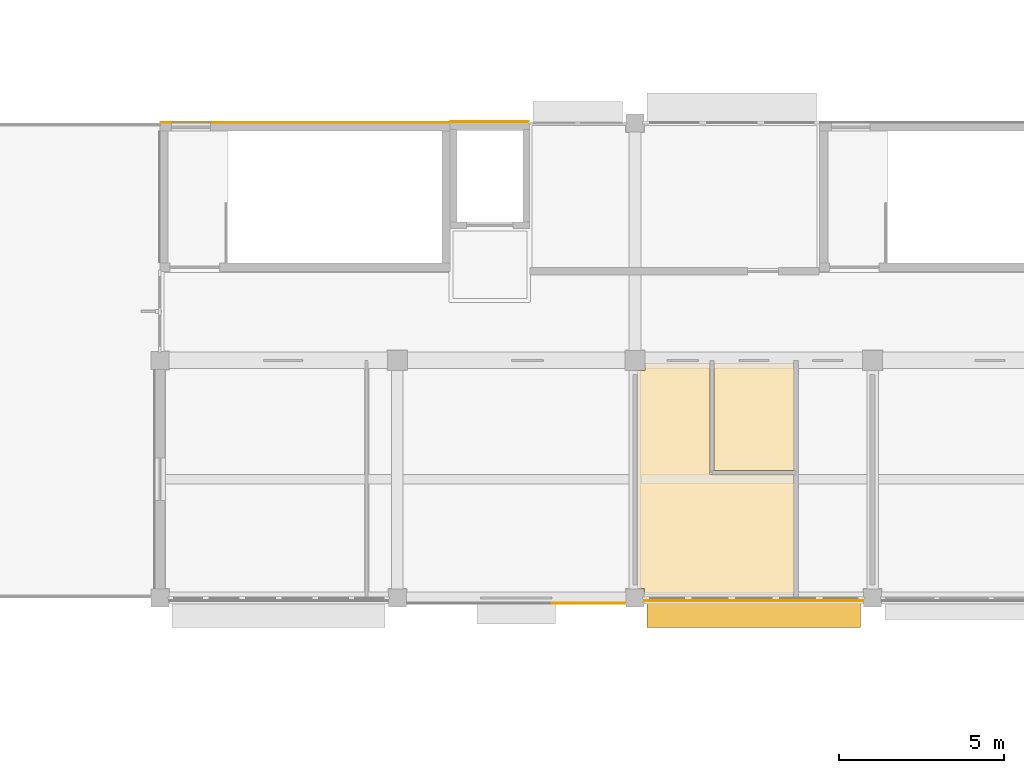
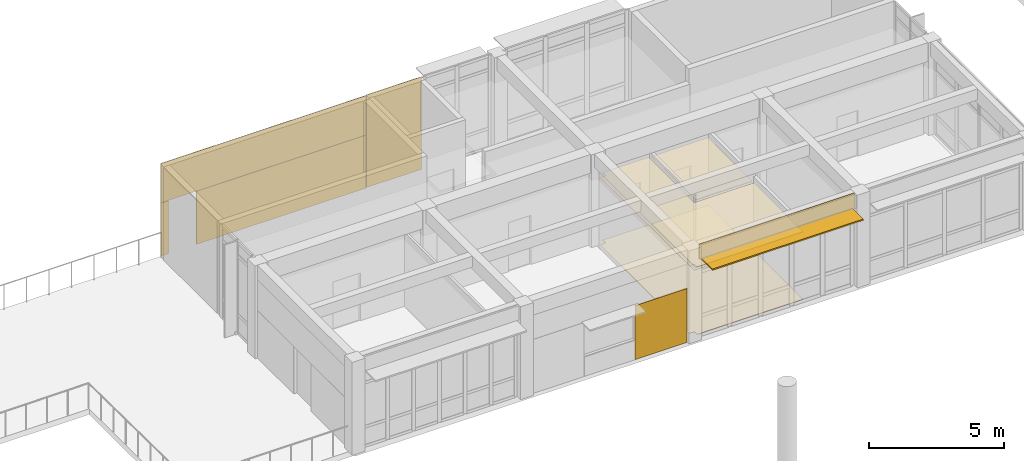
# One storey, part 30 of 41: 10 coverings, 1 shading device.
"""IFC4 building model written with IfcOpenShell, lengths in metres."""

from ifc_helpers import new_model, si_unit, direction, frame, origin, origin_2d, place, context, subcontext, project, spatial, polyline, rectangle, outline, extrude, material, layer, layer_set, type_object, element, save


model = new_model("IFC4")

# Units and contexts
model_context = context("Model", 3, precision=1e-05, world=origin(), true_north=direction((0.0, 1.0)))
body_context = subcontext(model_context, "Body", "Model", "MODEL_VIEW")
ifc_project = project(units=[si_unit("LENGTHUNIT", "METRE"), si_unit("AREAUNIT", "SQUARE_METRE"), si_unit("VOLUMEUNIT", "CUBIC_METRE"), si_unit("PLANEANGLEUNIT", "RADIAN"), si_unit("MASSUNIT", "GRAM", prefix="KILO")], contexts=[model_context])

# Site, building, storey
site_placement = place(None, origin())
site = spatial("IfcSite", under=ifc_project, at=site_placement, CompositionType="ELEMENT")
building_placement = place(site_placement, origin())
building = spatial("IfcBuilding", under=site, at=building_placement, Name="Namkhue Oval Health Centre", CompositionType="ELEMENT")
storey_placement = place(building_placement, frame((0.0, 0.0, 13.800048828125)))
storey = spatial("IfcBuildingStorey", under=building, at=storey_placement, Name="L03", CompositionType="ELEMENT", Elevation=13.800048828125)

# Coverings
ifc_material_1 = material(Name="Acoustic mineral-fibre cleanroom ceiling", Category="gypsum")
ifc_layer_1 = layer(ifc_material_1, 0.02001953125)
ifc_layer_set_1 = layer_set([ifc_layer_1], Name="Acoustic mineral-fibre cleanroom ceiling")
covering_type_1 = type_object("IfcCoveringType", Name="ACOUSTIC CLEANROOM CEILING 20", PredefinedType="CEILING", material=ifc_layer_set_1)
covering_1_placement = place(storey_placement, frame((0.0, 0.0, 3.050048828125)))
element("IfcCovering", 1, at=covering_1_placement, inside=storey, type_object=covering_type_1, Name="Acoustic Ceiling L03-403 Surgical Clean Instrument Utility", PredefinedType="CEILING", context=body_context, shape_type="SweptSolid", body=[
    extrude(outline(polyline([(74.280029296875, 21.52001953125), (74.280029296875, 18.139892578125), (76.820068359375, 18.139892578125), (76.820068359375, 14.485107421875), (72.284912109375, 14.485107421875), (72.284912109375, 14.68505859375), (72.070068359375, 14.68505859375), (72.070068359375, 21.2900390625), (72.31005859375, 21.2900390625), (72.31005859375, 21.52001953125), (74.280029296875, 21.52001953125)])), origin(), (0.0, 0.0, 1.0), 0.02001953125),
])
covering_2_placement = place(storey_placement, frame((0.0, 0.0, 3.050048828125)))
element("IfcCovering", 2, at=covering_2_placement, inside=storey, type_object=covering_type_1, Name="Acoustic Ceiling L03-404 Accessible WC", PredefinedType="CEILING", context=body_context, shape_type="SweptSolid", body=[
    extrude(outline(polyline([(74.39990234375, 18.260009765625), (74.39990234375, 21.52001953125), (76.820068359375, 21.52001953125), (76.820068359375, 18.260009765625), (74.39990234375, 18.260009765625)])), origin(), (0.0, 0.0, 1.0), 0.02001953125),
])
ifc_material_2 = material(Name="Homogeneous anti-bacterial clinical vinyl flooring", Category="plastic")
ifc_layer_2 = layer(ifc_material_2, 0.014892578125)
ifc_layer_set_2 = layer_set([ifc_layer_2], Name="Homogeneous anti-bacterial clinical vinyl flooring")
covering_type_2 = type_object("IfcCoveringType", Name="CLINICAL ANTIBACTERIAL VINYL FLOORING 15", PredefinedType="FLOORING", material=ifc_layer_set_2)
covering_3_placement = place(storey_placement, origin())
element("IfcCovering", 3, at=covering_3_placement, inside=storey, type_object=covering_type_2, Name="Clinical Flooring L03-403 Surgical Clean Instrument Utility", PredefinedType="FLOORING", context=body_context, shape_type="SweptSolid", body=[
    extrude(outline(polyline([(74.280029296875, 21.52001953125), (74.280029296875, 18.139892578125), (76.820068359375, 18.139892578125), (76.820068359375, 14.485107421875), (72.284912109375, 14.485107421875), (72.284912109375, 14.68505859375), (72.070068359375, 14.68505859375), (72.070068359375, 21.2900390625), (72.31005859375, 21.2900390625), (72.31005859375, 21.52001953125), (74.280029296875, 21.52001953125)])), origin(), (0.0, 0.0, 1.0), 0.014892578125),
])
covering_4_placement = place(storey_placement, origin())
element("IfcCovering", 4, at=covering_4_placement, inside=storey, type_object=covering_type_2, Name="Clinical Flooring L03-404 Accessible WC", PredefinedType="FLOORING", context=body_context, shape_type="SweptSolid", body=[
    extrude(outline(polyline([(74.39990234375, 18.260009765625), (74.39990234375, 21.52001953125), (76.820068359375, 21.52001953125), (76.820068359375, 18.260009765625), (74.39990234375, 18.260009765625)])), origin(), (0.0, 0.0, 1.0), 0.014892578125),
])

# Shading device
ifc_material_3 = material(Name="Anodised aluminium EN AW-6063 T6", Category="aluminium")
ifc_layer_3 = layer(ifc_material_3, 0.06005859375)
ifc_layer_set_3 = layer_set([ifc_layer_3], Name="Anodised aluminium EN AW-6063 T6")
shading_device_type = type_object("IfcShadingDeviceType", Name="MONSOON SUN LOUVRE 900", PredefinedType="JALOUSIE", material=ifc_layer_set_3)
shading_device_placement = place(storey_placement, frame((75.60009765625, 13.949951171875, 3.47998046875), z_axis=(0.0, 0.0, 1.0), x_axis=(1.0, 0.0, 0.0)))
element("IfcShadingDevice", 5, at=shading_device_placement, inside=storey, type_object=shading_device_type, Name="Volume V4 L03 Horizontal Monsoon Sun Louvre 230", PredefinedType="JALOUSIE", context=body_context, shape_type="SweptSolid", body=[
    extrude(rectangle(XDim=6.4580078125, YDim=0.89990234375, at=origin_2d()), origin(), (0.0, 0.0, 1.0), 0.06005859375),
])

# Coverings
ifc_material_4 = material(Name="White glass-fibre reinforced concrete GRC rainscreen cladding", Category="concrete")
ifc_layer_4 = layer(ifc_material_4, 0.02490234375)
ifc_layer_set_4 = layer_set([ifc_layer_4], Name="White glass-fibre reinforced concrete GRC rainscreen cladding")
covering_type_3 = type_object("IfcCoveringType", Name="WHITE GRC RAINSCREEN CLADDING 25", PredefinedType="CLADDING", material=ifc_layer_set_4)
covering_5_placement = place(storey_placement, frame((70.599609375, 14.242919921875, 0.010009765625), z_axis=(0.0, 0.0, 1.0), x_axis=(1.0, 0.0, 0.0)))
element("IfcCovering", 6, at=covering_5_placement, inside=storey, type_object=covering_type_3, Name="Volume V4 L03 Facade 108 White GRC Cladding 4", PredefinedType="CLADDING", context=body_context, shape_type="SweptSolid", body=[
    extrude(rectangle(XDim=2.218994140625, YDim=0.02490234375, at=origin_2d()), origin(), (0.0, 0.0, 1.0), 2.43994140625),
])
covering_6_placement = place(storey_placement, frame((75.60009765625, 14.3115234375, 3.534912109375), z_axis=(0.0, 0.0, 1.0), x_axis=(1.0, 0.0, 0.0)))
element("IfcCovering", 7, at=covering_6_placement, inside=storey, type_object=covering_type_3, Name="Volume V4 L03 Curtain Wall Spandrel Cladding 170", PredefinedType="CLADDING", context=body_context, shape_type="SweptSolid", body=[
    extrude(rectangle(XDim=6.64794921875, YDim=0.02490234375, at=origin_2d()), origin(), (0.0, 0.0, 1.0), 0.6650390625),
])
covering_7_placement = place(storey_placement, frame((62.0, 28.81201171875, 2.4150390625), z_axis=(0.0, 0.0, 1.0), x_axis=(-1.0, 0.0, 0.0)))
element("IfcCovering", 8, at=covering_7_placement, inside=storey, type_object=covering_type_3, Name="Core SC-07 L03 Core N White GRC Cladding 1", PredefinedType="CLADDING", context=body_context, shape_type="SweptSolid", body=[
    extrude(rectangle(XDim=8.760009765625, YDim=0.02490234375, at=origin_2d()), origin(), (0.0, 0.0, 1.0), 1.77490234375),
])
covering_8_placement = place(storey_placement, frame((62.762451171875, 28.81201171875, 0.010009765625), z_axis=(0.0, 0.0, 1.0), x_axis=(-1.0, 0.0, 0.0)))
element("IfcCovering", 9, at=covering_8_placement, inside=storey, type_object=covering_type_3, Name="Core SC-07 L03 Core N White GRC Cladding 2", PredefinedType="CLADDING", context=body_context, shape_type="SweptSolid", body=[
    extrude(rectangle(XDim=7.235107421875, YDim=0.02490234375, at=origin_2d()), origin(), (0.0, 0.0, 1.0), 2.39990234375),
])
covering_9_placement = place(storey_placement, frame((57.777587890625, 28.81201171875, 0.010009765625), z_axis=(0.0, 0.0, 1.0), x_axis=(-1.0, 0.0, 0.0)))
element("IfcCovering", 10, at=covering_9_placement, inside=storey, type_object=covering_type_3, Name="Core SC-07 L03 Core N White GRC Cladding 4", PredefinedType="CLADDING", context=body_context, shape_type="SweptSolid", body=[
    extrude(rectangle(XDim=0.31494140625, YDim=0.02490234375, at=origin_2d()), origin(), (0.0, 0.0, 1.0), 2.39990234375),
])
covering_10_placement = place(storey_placement, frame((67.60009765625, 28.8369140625, 0.009765625), z_axis=(0.0, 0.0, 1.0), x_axis=(-1.0, 0.0, 0.0)))
element("IfcCovering", 11, at=covering_10_placement, inside=storey, type_object=covering_type_3, Name="Lift LF-05 L03 N White GRC Cladding 1", PredefinedType="CLADDING", context=body_context, shape_type="SweptSolid", body=[
    extrude(rectangle(XDim=2.360107421875, YDim=0.02490234375, at=origin_2d()), origin(), (0.0, 0.0, 1.0), 4.179931640625),
])

save(model, "model.ifc")
